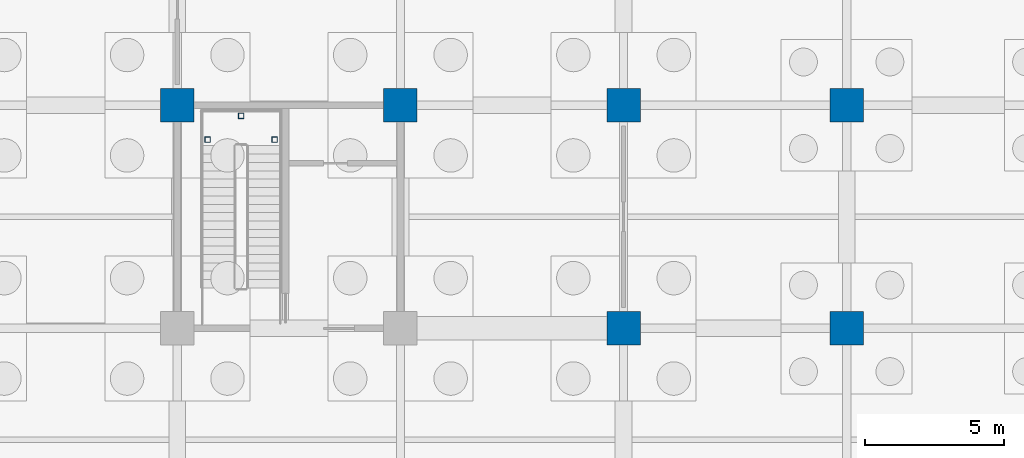
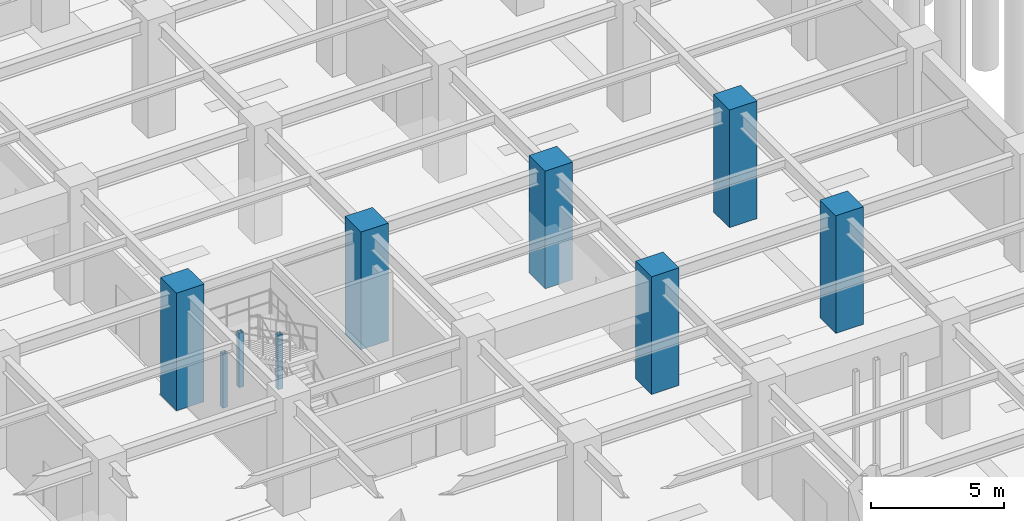
# One storey, part 50 of 97: 9 columns.
"""IFC4 building model written with IfcOpenShell, lengths in metres."""

from ifc_helpers import new_model, si_unit, direction, frame, origin, origin_2d, place, context, subcontext, project, spatial, rectangle, hollow_rectangle, extrude, material, material_profile, profile_set, type_object, element, save


model = new_model("IFC4")

# Units and contexts
model_context = context("Model", 3, precision=1e-05, world=origin(), true_north=direction((0.0, 1.0)))
body_context = subcontext(model_context, "Body", "Model", "MODEL_VIEW")
ifc_project = project(units=[si_unit("LENGTHUNIT", "METRE"), si_unit("AREAUNIT", "SQUARE_METRE"), si_unit("VOLUMEUNIT", "CUBIC_METRE"), si_unit("PLANEANGLEUNIT", "RADIAN"), si_unit("MASSUNIT", "GRAM", prefix="KILO")], contexts=[model_context])

# Site, building, storey
site_placement = place(None, origin())
site = spatial("IfcSite", under=ifc_project, at=site_placement, CompositionType="ELEMENT")
building_placement = place(site_placement, origin())
building = spatial("IfcBuilding", under=site, at=building_placement, Name="Haebicheon Civic Stadium", CompositionType="ELEMENT")
storey_placement = place(building_placement, frame((0.0, 0.0, -5.39990234375)))
storey = spatial("IfcBuildingStorey", under=building, at=storey_placement, Name="B1", CompositionType="ELEMENT", Elevation=-5.39990234375)

# Columns
ifc_material_1 = material(Name="Concrete C40/50", Category="concrete")
ifc_material_profile_1 = material_profile(ifc_material_1, rectangle(XDim=1.199951171875, YDim=1.199951171875, at=origin_2d()), Name="RC-COL-1200x1200")
ifc_profile_set_1 = profile_set([ifc_material_profile_1], Name="Concrete C40/50")
column_type_1 = type_object("IfcColumnType", Name="COL-RC-1200", PredefinedType="COLUMN", material=ifc_profile_set_1)
for number, where, z_axis, x_axis, name in (
    (1, (32.0, 136.0, 0.0), (0.0, 0.0, 1.0), (1.0, 0.0, 0.0), "B1 column 5/T"),
    (2, (40.0, 136.0, 0.0), (0.0, 0.0, 1.0), (1.0, 0.0, 0.0), "B1 column 6/T"),
    (3, (48.0, 128.0, 0.0), (0.0, 0.0, 1.0), (1.0, 0.0, 0.0), "B1 column 7/S"),
    (4, (48.0, 136.0, 0.0), (0.0, 0.0, 1.0), (1.0, 0.0, 0.0), "B1 column 7/T"),
    (5, (56.0, 128.0, 0.0), (0.0, 0.0, 1.0), (1.0, 0.0, 0.0), "B1 column 8/S"),
    (6, (56.0, 136.0, 0.0), (0.0, 0.0, 1.0), (1.0, 0.0, 0.0), "B1 column 8/T"),
):
    element("IfcColumn", number, at=place(storey_placement, frame(where, z_axis=z_axis, x_axis=x_axis)), inside=storey, type_object=column_type_1, material=ifc_profile_set_1, Name=name, PredefinedType="COLUMN", context=body_context, shape_type="SweptSolid", body=[
        extrude(rectangle(XDim=1.199951171875, YDim=1.199951171875, at=origin_2d()), origin(), (0.0, 0.0, 1.0), 5.39990234375),
    ])
ifc_material_2 = material(Name="Steel SM355 (S355)", Category="steel")
ifc_material_profile_2 = material_profile(ifc_material_2, hollow_rectangle(XDim=0.199951171875, YDim=0.199951171875, WallThickness=0.009033203125, at=origin_2d()), Name="RHS-200x200x9.0")
ifc_profile_set_2 = profile_set([ifc_material_profile_2], Name="Steel SM355 (S355)")
column_type_2 = type_object("IfcColumnType", Name="COL-ST-RHS200", PredefinedType="COLUMN", material=ifc_profile_set_2)
for number, where, z_axis, x_axis, name in (
    (7, (33.090087890625, 134.77001953125, 0.0), (0.0, 0.0, 1.0), (1.0, 0.0, 0.0), "KC-05 B1 stair half-landing support post A"),
    (8, (35.489990234375, 134.77001953125, 0.0), (0.0, 0.0, 1.0), (1.0, 0.0, 0.0), "KC-05 B1 stair half-landing support post B"),
    (9, (34.2900390625, 135.6201171875, 0.0), (0.0, 0.0, 1.0), (1.0, 0.0, 0.0), "KC-05 B1 stair half-landing support post C"),
):
    element("IfcColumn", number, at=place(storey_placement, frame(where, z_axis=z_axis, x_axis=x_axis)), inside=storey, type_object=column_type_2, material=ifc_profile_set_2, Name=name, PredefinedType="COLUMN", context=body_context, shape_type="SweptSolid", body=[
        extrude(hollow_rectangle(XDim=0.199951171875, YDim=0.199951171875, WallThickness=0.009033203125, at=origin_2d()), origin(), (0.0, 0.0, 1.0), 2.5),
    ])

save(model, "model.ifc")
